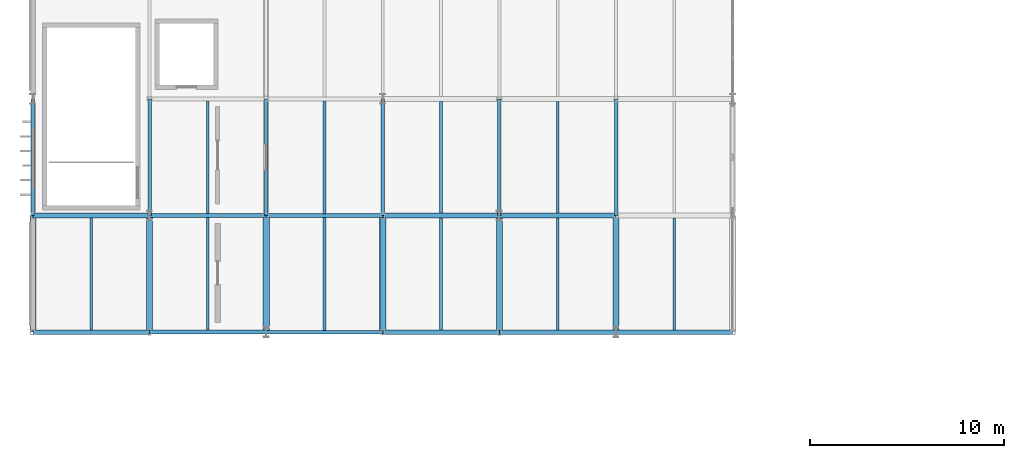
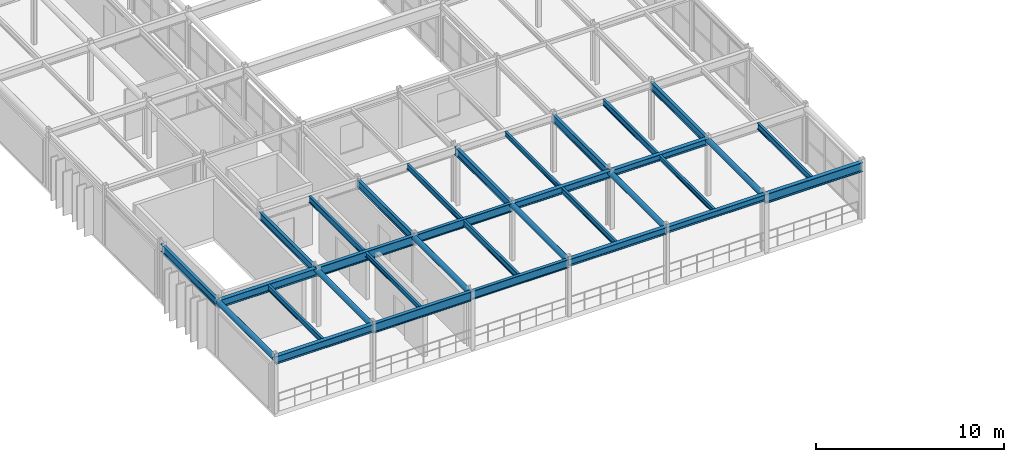
# One storey, part 9 of 63: 33 beams.
"""IFC4 building model written with IfcOpenShell, lengths in metres."""

from ifc_helpers import new_model, si_unit, direction, frame, origin, origin_2d, place, context, subcontext, project, spatial, hollow_circle, i_section, extrude, material, material_profile, profile_set, type_object, element, save


model = new_model("IFC4")

# Units and contexts
model_context = context("Model", 3, precision=1e-05, world=origin(), true_north=direction((0.0, 1.0)))
body_context = subcontext(model_context, "Body", "Model", "MODEL_VIEW")
ifc_project = project(units=[si_unit("LENGTHUNIT", "METRE"), si_unit("AREAUNIT", "SQUARE_METRE"), si_unit("VOLUMEUNIT", "CUBIC_METRE"), si_unit("PLANEANGLEUNIT", "RADIAN"), si_unit("MASSUNIT", "GRAM", prefix="KILO")], contexts=[model_context])

# Site, building, storey
site_placement = place(None, origin())
site = spatial("IfcSite", under=ifc_project, at=site_placement, CompositionType="ELEMENT")
building_placement = place(site_placement, origin())
building = spatial("IfcBuilding", under=site, at=building_placement, Name="Varnakota Square Police Headquarters", CompositionType="ELEMENT")
storey_placement = place(building_placement, frame((0.0, 0.0, 22.199951171875)))
storey = spatial("IfcBuildingStorey", under=building, at=storey_placement, Name="L05", CompositionType="ELEMENT", Elevation=22.199951171875)

# Beams
ifc_material = material(Name="Steel IS 2062 Grade 350", Category="steel")
ifc_material_profile_1 = material_profile(ifc_material, hollow_circle(Radius=0.161865234375, WallThickness=0.0126953125, at=origin_2d()), Name="CHS 323.9x12.7")
ifc_profile_set_1 = profile_set([ifc_material_profile_1], Name="Steel IS 2062 Grade 350")
beam_type_1 = type_object("IfcBeamType", Name="BM-ARC-CHS324", PredefinedType="BEAM", material=ifc_profile_set_1)
for number, where, z_axis, x_axis, name in (
    (1, (6.0, 21.0, 3.528076171875), (0.0, 1.0, 0.0), (-1.0, 0.0, 0.0), "BMG-L05-3160"),
    (2, (12.0, 21.0, 3.528076171875), (0.0, 1.0, 0.0), (-1.0, 0.0, 0.0), "BMG-L05-3167"),
    (3, (18.0, 21.0, 3.528076171875), (0.0, 1.0, 0.0), (-1.0, 0.0, 0.0), "BMG-L05-3174"),
    (4, (24.0, 21.0, 3.528076171875), (0.0, 1.0, 0.0), (-1.0, 0.0, 0.0), "BMG-L05-3181"),
    (5, (30.0, 21.0, 3.528076171875), (0.0, 1.0, 0.0), (-1.0, 0.0, 0.0), "BMG-L05-3185"),
    (6, (36.0, 21.0, 3.528076171875), (0.0, 1.0, 0.0), (-1.0, 0.0, 0.0), "BMG-L05-3192"),
):
    element("IfcBeam", number, at=place(storey_placement, frame(where, z_axis=z_axis, x_axis=x_axis)), inside=storey, type_object=beam_type_1, Name=name, PredefinedType="BEAM", context=body_context, shape_type="SweptSolid", body=[
        extrude(hollow_circle(Radius=0.161865234375, WallThickness=0.0126953125, at=origin_2d()), origin(), (0.0, 0.0, 1.0), 6.0),
    ])
ifc_material_profile_2 = material_profile(ifc_material, i_section(OverallWidth=0.25, OverallDepth=0.39990234375, WebThickness=0.010498046875, FlangeThickness=0.0126953125, FilletRadius=0.013916015625, at=origin_2d()), Name="ISHB 400")
ifc_profile_set_2 = profile_set([ifc_material_profile_2], Name="Steel IS 2062 Grade 350")
beam_type_2 = type_object("IfcBeamType", Name="BM-ISHB400", PredefinedType="BEAM", material=ifc_profile_set_2)
for number, where, z_axis, x_axis, name in (
    (7, (30.0, 21.0, 3.489990234375), (1.0, 0.0, 0.0), (0.0, 1.0, 0.0), "BMG-L05-3101"),
    (8, (30.0, 27.0, 3.489990234375), (1.0, 0.0, 0.0), (0.0, 1.0, 0.0), "BMG-L05-3111"),
):
    element("IfcBeam", number, at=place(storey_placement, frame(where, z_axis=z_axis, x_axis=x_axis)), inside=storey, type_object=beam_type_2, Name=name, PredefinedType="BEAM", context=body_context, shape_type="SweptSolid", body=[
        extrude(i_section(OverallWidth=0.25, OverallDepth=0.39990234375, WebThickness=0.010498046875, FlangeThickness=0.0126953125, FilletRadius=0.013916015625, at=origin_2d()), origin(), (0.0, 0.0, 1.0), 6.0),
    ])
ifc_material_profile_3 = material_profile(ifc_material, i_section(OverallWidth=0.25, OverallDepth=0.449951171875, WebThickness=0.01123046875, FlangeThickness=0.013671875, FilletRadius=0.014892578125, at=origin_2d()), Name="ISHB 450")
ifc_profile_set_3 = profile_set([ifc_material_profile_3], Name="Steel IS 2062 Grade 350")
beam_type_3 = type_object("IfcBeamType", Name="BM-ISHB450", PredefinedType="BEAM", material=ifc_profile_set_3)
for number, where, z_axis, x_axis, name in (
    (9, (24.0, 21.0, 3.465087890625), (1.0, 0.0, 0.0), (0.0, 1.0, 0.0), "BMG-L05-3100"),
    (10, (24.0, 27.0, 3.465087890625), (1.0, 0.0, 0.0), (0.0, 1.0, 0.0), "BMG-L05-3110"),
):
    element("IfcBeam", number, at=place(storey_placement, frame(where, z_axis=z_axis, x_axis=x_axis)), inside=storey, type_object=beam_type_3, Name=name, PredefinedType="BEAM", context=body_context, shape_type="SweptSolid", body=[
        extrude(i_section(OverallWidth=0.25, OverallDepth=0.449951171875, WebThickness=0.01123046875, FlangeThickness=0.013671875, FilletRadius=0.014892578125, at=origin_2d()), origin(), (0.0, 0.0, 1.0), 6.0),
    ])
ifc_material_profile_4 = material_profile(ifc_material, i_section(OverallWidth=0.139892578125, OverallDepth=0.300048828125, WebThickness=0.0078125, FlangeThickness=0.01318359375, FilletRadius=0.013916015625, at=origin_2d()), Name="ISMB 300")
ifc_profile_set_4 = profile_set([ifc_material_profile_4], Name="Steel IS 2062 Grade 350")
beam_type_4 = type_object("IfcBeamType", Name="BM-ISMB300", PredefinedType="JOIST", material=ifc_profile_set_4)
beam_1_placement = place(storey_placement, frame((15.0, 21.10302734375, 3.5400390625), z_axis=(0.0, 1.0, 0.0), x_axis=(-1.0, 0.0, 0.0)))
element("IfcBeam", 11, at=beam_1_placement, inside=storey, type_object=beam_type_4, Name="BMG-L05-3251", PredefinedType="JOIST", context=body_context, shape_type="SweptSolid", body=[
    extrude(i_section(OverallWidth=0.139892578125, OverallDepth=0.300048828125, WebThickness=0.0078125, FlangeThickness=0.01318359375, FilletRadius=0.013916015625, at=origin_2d()), origin(), (0.0, 0.0, 1.0), 5.7939453125),
])
for number, where, z_axis, x_axis, name in (
    (12, (27.0, 27.123046875, 3.5400390625), (0.0, 1.0, 0.0), (-1.0, 0.0, 0.0), "BMG-L05-3262"),
    (13, (33.0, 21.123046875, 3.5400390625), (0.0, 1.0, 0.0), (-1.0, 0.0, 0.0), "BMG-L05-3265"),
):
    element("IfcBeam", number, at=place(storey_placement, frame(where, z_axis=z_axis, x_axis=x_axis)), inside=storey, type_object=beam_type_4, Name=name, PredefinedType="JOIST", context=body_context, shape_type="SweptSolid", body=[
        extrude(i_section(OverallWidth=0.139892578125, OverallDepth=0.300048828125, WebThickness=0.0078125, FlangeThickness=0.01318359375, FilletRadius=0.013916015625, at=origin_2d()), origin(), (0.0, 0.0, 1.0), 5.75390625),
    ])
ifc_material_profile_5 = material_profile(ifc_material, i_section(OverallWidth=0.139892578125, OverallDepth=0.35009765625, WebThickness=0.008056640625, FlangeThickness=0.01416015625, FilletRadius=0.013916015625, at=origin_2d()), Name="ISMB 350")
ifc_profile_set_5 = profile_set([ifc_material_profile_5], Name="Steel IS 2062 Grade 350")
beam_type_5 = type_object("IfcBeamType", Name="BM-ISMB350", PredefinedType="JOIST", material=ifc_profile_set_5)
beam_2_placement = place(storey_placement, frame((9.0, 21.123046875, 3.51513671875), z_axis=(0.0, 1.0, 0.0), x_axis=(-1.0, 0.0, 0.0)))
element("IfcBeam", 14, at=beam_2_placement, inside=storey, type_object=beam_type_5, Name="BMG-L05-3246", PredefinedType="JOIST", context=body_context, shape_type="SweptSolid", body=[
    extrude(i_section(OverallWidth=0.139892578125, OverallDepth=0.35009765625, WebThickness=0.008056640625, FlangeThickness=0.01416015625, FilletRadius=0.013916015625, at=origin_2d()), origin(), (0.0, 0.0, 1.0), 5.75390625),
])
beam_3_placement = place(storey_placement, frame((21.0, 27.093017578125, 3.51513671875), z_axis=(0.0, 1.0, 0.0), x_axis=(-1.0, 0.0, 0.0)))
element("IfcBeam", 15, at=beam_3_placement, inside=storey, type_object=beam_type_5, Name="BMG-L05-3258", PredefinedType="JOIST", context=body_context, shape_type="SweptSolid", body=[
    extrude(i_section(OverallWidth=0.139892578125, OverallDepth=0.35009765625, WebThickness=0.008056640625, FlangeThickness=0.01416015625, FilletRadius=0.013916015625, at=origin_2d()), origin(), (0.0, 0.0, 1.0), 5.81396484375),
])
beam_4_placement = place(storey_placement, frame((27.0, 21.123046875, 3.51513671875), z_axis=(0.0, 1.0, 0.0), x_axis=(-1.0, 0.0, 0.0)))
element("IfcBeam", 16, at=beam_4_placement, inside=storey, type_object=beam_type_5, Name="BMG-L05-3261", PredefinedType="JOIST", context=body_context, shape_type="SweptSolid", body=[
    extrude(i_section(OverallWidth=0.139892578125, OverallDepth=0.35009765625, WebThickness=0.008056640625, FlangeThickness=0.01416015625, FilletRadius=0.013916015625, at=origin_2d()), origin(), (0.0, 0.0, 1.0), 5.75390625),
])
ifc_material_profile_6 = material_profile(ifc_material, i_section(OverallWidth=0.139892578125, OverallDepth=0.39990234375, WebThickness=0.0087890625, FlangeThickness=0.01611328125, FilletRadius=0.013916015625, at=origin_2d()), Name="ISMB 400")
ifc_profile_set_6 = profile_set([ifc_material_profile_6], Name="Steel IS 2062 Grade 350")
beam_type_6 = type_object("IfcBeamType", Name="BM-ISMB400", PredefinedType="JOIST", material=ifc_profile_set_6)
beam_5_placement = place(storey_placement, frame((15.0, 27.10302734375, 3.489990234375), z_axis=(0.0, 1.0, 0.0), x_axis=(-1.0, 0.0, 0.0)))
element("IfcBeam", 17, at=beam_5_placement, inside=storey, type_object=beam_type_6, Name="BMG-L05-3252", PredefinedType="JOIST", context=body_context, shape_type="SweptSolid", body=[
    extrude(i_section(OverallWidth=0.139892578125, OverallDepth=0.39990234375, WebThickness=0.0087890625, FlangeThickness=0.01611328125, FilletRadius=0.013916015625, at=origin_2d()), origin(), (0.0, 0.0, 1.0), 5.7939453125),
])
beam_6_placement = place(storey_placement, frame((21.0, 21.093017578125, 3.489990234375), z_axis=(0.0, 1.0, 0.0), x_axis=(-1.0, 0.0, 0.0)))
element("IfcBeam", 18, at=beam_6_placement, inside=storey, type_object=beam_type_6, Name="BMG-L05-3257", PredefinedType="JOIST", context=body_context, shape_type="SweptSolid", body=[
    extrude(i_section(OverallWidth=0.139892578125, OverallDepth=0.39990234375, WebThickness=0.0087890625, FlangeThickness=0.01611328125, FilletRadius=0.013916015625, at=origin_2d()), origin(), (0.0, 0.0, 1.0), 5.81396484375),
])
for number, where, z_axis, x_axis, name in (
    (19, (33.0, 27.123046875, 3.489990234375), (0.0, 1.0, 0.0), (-1.0, 0.0, 0.0), "BMG-L05-3266"),
    (20, (39.0, 21.123046875, 3.489990234375), (0.0, 1.0, 0.0), (-1.0, 0.0, 0.0), "BMG-L05-3272"),
):
    element("IfcBeam", number, at=place(storey_placement, frame(where, z_axis=z_axis, x_axis=x_axis)), inside=storey, type_object=beam_type_6, Name=name, PredefinedType="JOIST", context=body_context, shape_type="SweptSolid", body=[
        extrude(i_section(OverallWidth=0.139892578125, OverallDepth=0.39990234375, WebThickness=0.0087890625, FlangeThickness=0.01611328125, FilletRadius=0.013916015625, at=origin_2d()), origin(), (0.0, 0.0, 1.0), 5.75390625),
    ])
ifc_material_profile_7 = material_profile(ifc_material, i_section(OverallWidth=0.179931640625, OverallDepth=0.5, WebThickness=0.01025390625, FlangeThickness=0.01708984375, FilletRadius=0.01708984375, at=origin_2d()), Name="ISMB 500")
ifc_profile_set_7 = profile_set([ifc_material_profile_7], Name="Steel IS 2062 Grade 350")
beam_type_7 = type_object("IfcBeamType", Name="BM-ISMB500", PredefinedType="BEAM", material=ifc_profile_set_7)
for number, where, z_axis, x_axis, name in (
    (21, (6.0, 27.0, 3.43994140625), (0.0, 1.0, 0.0), (-1.0, 0.0, 0.0), "BMG-L05-3161"),
    (22, (12.0, 27.0, 3.43994140625), (0.0, 1.0, 0.0), (-1.0, 0.0, 0.0), "BMG-L05-3168"),
    (23, (18.0, 27.0, 3.43994140625), (0.0, 1.0, 0.0), (-1.0, 0.0, 0.0), "BMG-L05-3175"),
    (24, (24.0, 27.0, 3.43994140625), (0.0, 1.0, 0.0), (-1.0, 0.0, 0.0), "BMG-L05-3182"),
    (25, (30.0, 27.0, 3.43994140625), (0.0, 1.0, 0.0), (-1.0, 0.0, 0.0), "BMG-L05-3186"),
    (26, (36.0, 27.0, 3.43994140625), (0.0, 1.0, 0.0), (-1.0, 0.0, 0.0), "BMG-L05-3193"),
):
    element("IfcBeam", number, at=place(storey_placement, frame(where, z_axis=z_axis, x_axis=x_axis)), inside=storey, type_object=beam_type_7, Name=name, PredefinedType="BEAM", context=body_context, shape_type="SweptSolid", body=[
        extrude(i_section(OverallWidth=0.179931640625, OverallDepth=0.5, WebThickness=0.01025390625, FlangeThickness=0.01708984375, FilletRadius=0.01708984375, at=origin_2d()), origin(), (0.0, 0.0, 1.0), 6.0),
    ])
ifc_material_profile_8 = material_profile(ifc_material, i_section(OverallWidth=0.18994140625, OverallDepth=0.550048828125, WebThickness=0.01123046875, FlangeThickness=0.019287109375, FilletRadius=0.01806640625, at=origin_2d()), Name="ISMB 550")
ifc_profile_set_8 = profile_set([ifc_material_profile_8], Name="Steel IS 2062 Grade 350")
beam_type_8 = type_object("IfcBeamType", Name="BM-ISMB550", PredefinedType="BEAM", material=ifc_profile_set_8)
for number, where, z_axis, x_axis, name in (
    (27, (18.0, 21.0, 3.4150390625), (1.0, 0.0, 0.0), (0.0, 1.0, 0.0), "BMG-L05-3099"),
    (28, (18.0, 27.0, 3.4150390625), (1.0, 0.0, 0.0), (0.0, 1.0, 0.0), "BMG-L05-3109"),
):
    element("IfcBeam", number, at=place(storey_placement, frame(where, z_axis=z_axis, x_axis=x_axis)), inside=storey, type_object=beam_type_8, Name=name, PredefinedType="BEAM", context=body_context, shape_type="SweptSolid", body=[
        extrude(i_section(OverallWidth=0.18994140625, OverallDepth=0.550048828125, WebThickness=0.01123046875, FlangeThickness=0.019287109375, FilletRadius=0.01806640625, at=origin_2d()), origin(), (0.0, 0.0, 1.0), 6.0),
    ])
ifc_material_profile_9 = material_profile(ifc_material, i_section(OverallWidth=0.2099609375, OverallDepth=0.60009765625, WebThickness=0.011962890625, FlangeThickness=0.020751953125, FilletRadius=0.02001953125, at=origin_2d()), Name="ISMB 600")
ifc_profile_set_9 = profile_set([ifc_material_profile_9], Name="Steel IS 2062 Grade 350")
beam_type_9 = type_object("IfcBeamType", Name="BM-ISMB600", PredefinedType="BEAM", material=ifc_profile_set_9)
for number, where, z_axis, x_axis, name in (
    (29, (12.0, 21.0, 3.39013671875), (1.0, 0.0, 0.0), (0.0, 1.0, 0.0), "BMG-L05-3098"),
    (30, (12.0, 27.0, 3.39013671875), (1.0, 0.0, 0.0), (0.0, 1.0, 0.0), "BMG-L05-3108"),
):
    element("IfcBeam", number, at=place(storey_placement, frame(where, z_axis=z_axis, x_axis=x_axis)), inside=storey, type_object=beam_type_9, Name=name, PredefinedType="BEAM", context=body_context, shape_type="SweptSolid", body=[
        extrude(i_section(OverallWidth=0.2099609375, OverallDepth=0.60009765625, WebThickness=0.011962890625, FlangeThickness=0.020751953125, FilletRadius=0.02001953125, at=origin_2d()), origin(), (0.0, 0.0, 1.0), 6.0),
    ])
ifc_material_profile_10 = material_profile(ifc_material, i_section(OverallWidth=0.25, OverallDepth=0.5, WebThickness=0.010009765625, FlangeThickness=0.0146484375, FilletRadius=0.014892578125, at=origin_2d()), Name="ISWB 500")
ifc_profile_set_10 = profile_set([ifc_material_profile_10], Name="Steel IS 2062 Grade 350")
beam_type_10 = type_object("IfcBeamType", Name="BM-ISWB500", PredefinedType="BEAM", material=ifc_profile_set_10)
for number, where, z_axis, x_axis, name in (
    (31, (6.0, 21.0, 3.43994140625), (1.0, 0.0, 0.0), (0.0, 1.0, 0.0), "BMG-L05-3097"),
    (32, (6.0, 27.0, 3.43994140625), (1.0, 0.0, 0.0), (0.0, 1.0, 0.0), "BMG-L05-3107"),
):
    element("IfcBeam", number, at=place(storey_placement, frame(where, z_axis=z_axis, x_axis=x_axis)), inside=storey, type_object=beam_type_10, Name=name, PredefinedType="BEAM", context=body_context, shape_type="SweptSolid", body=[
        extrude(i_section(OverallWidth=0.25, OverallDepth=0.5, WebThickness=0.010009765625, FlangeThickness=0.0146484375, FilletRadius=0.014892578125, at=origin_2d()), origin(), (0.0, 0.0, 1.0), 6.0),
    ])
ifc_material_profile_11 = material_profile(ifc_material, i_section(OverallWidth=0.25, OverallDepth=0.60009765625, WebThickness=0.01171875, FlangeThickness=0.023681640625, FilletRadius=0.01708984375, at=origin_2d()), Name="ISWB 600")
ifc_profile_set_11 = profile_set([ifc_material_profile_11], Name="Steel IS 2062 Grade 350")
beam_type_11 = type_object("IfcBeamType", Name="BM-ISWB600", PredefinedType="BEAM", material=ifc_profile_set_11)
beam_7_placement = place(storey_placement, frame((36.0, 21.0, 3.39013671875), z_axis=(1.0, 0.0, 0.0), x_axis=(0.0, 1.0, 0.0)))
element("IfcBeam", 33, at=beam_7_placement, inside=storey, type_object=beam_type_11, Name="BMG-L05-3102", PredefinedType="BEAM", context=body_context, shape_type="SweptSolid", body=[
    extrude(i_section(OverallWidth=0.25, OverallDepth=0.60009765625, WebThickness=0.01171875, FlangeThickness=0.023681640625, FilletRadius=0.01708984375, at=origin_2d()), origin(), (0.0, 0.0, 1.0), 6.0),
])

save(model, "model.ifc")
